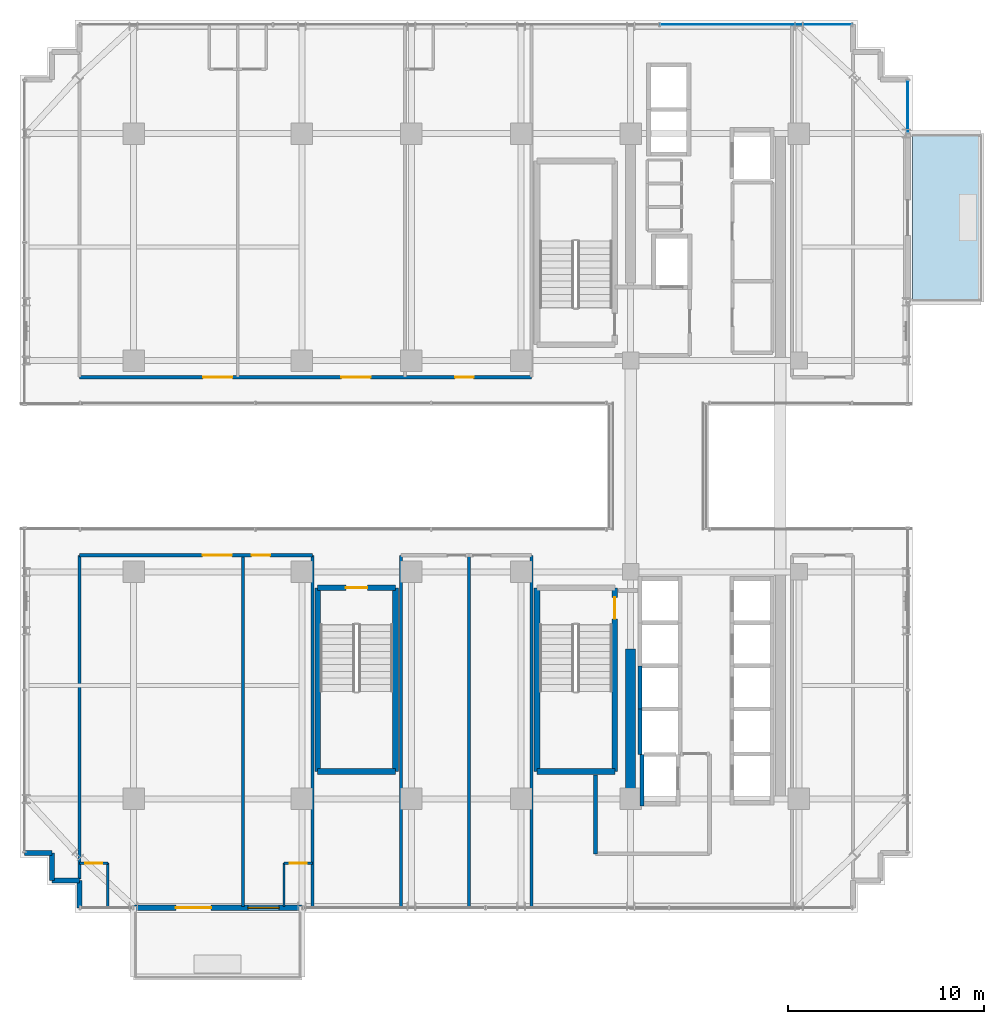
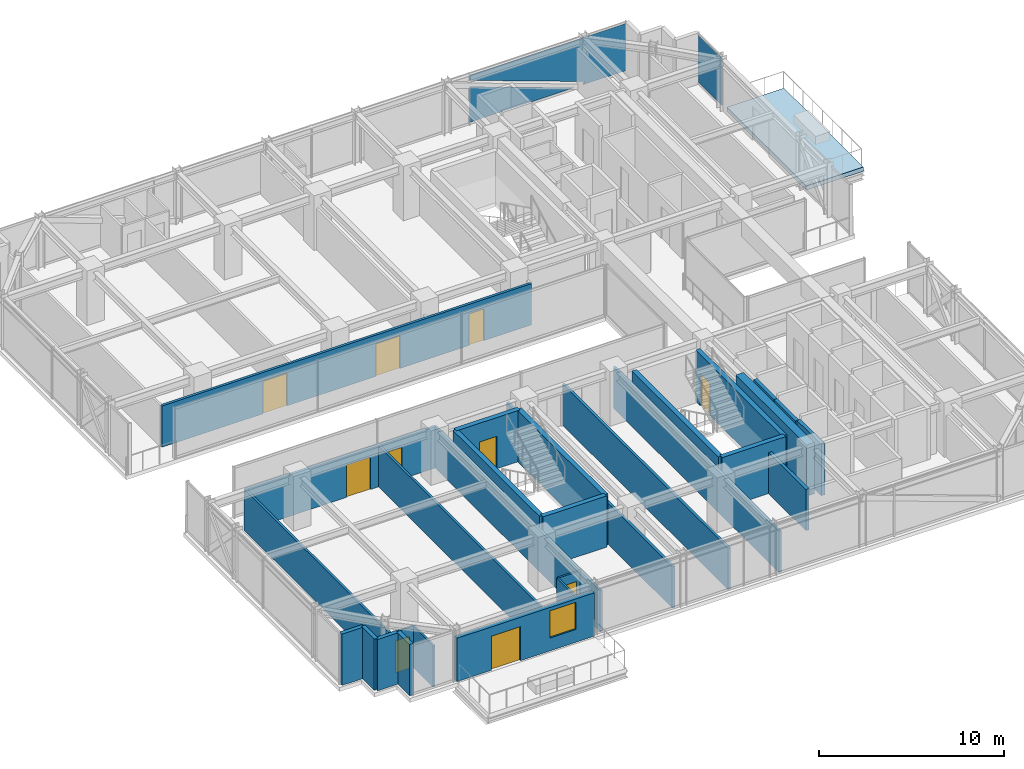
# One storey, part 31 of 38: 29 walls, 10 doors, 2 plates, 1 slab, 1 window, 11 openings, 2 elements without a shape of their own.
"""IFC4 building model written with IfcOpenShell, lengths in metres."""

from ifc_helpers import new_model, si_unit, direction, frame, frame_2d, origin, origin_2d, place, context, subcontext, project, spatial, polyline, rectangle, outline, extrude, source, transform, mapped, material, layer, layer_set, type_object, element, fill, aggregate, save


model = new_model("IFC4")

# Units and contexts
model_context = context("Model", 3, precision=1e-05, world=origin(), true_north=direction((0.0, 1.0)))
body_context = subcontext(model_context, "Body", "Model", "MODEL_VIEW")
ifc_project = project(units=[si_unit("LENGTHUNIT", "METRE"), si_unit("AREAUNIT", "SQUARE_METRE"), si_unit("VOLUMEUNIT", "CUBIC_METRE"), si_unit("PLANEANGLEUNIT", "RADIAN"), si_unit("MASSUNIT", "GRAM", prefix="KILO")], contexts=[model_context])

# Site, building, storey
site_placement = place(None, origin())
site = spatial("IfcSite", under=ifc_project, at=site_placement, CompositionType="ELEMENT")
building_placement = place(site_placement, origin())
building = spatial("IfcBuilding", under=site, at=building_placement, Name="Nahalor Promenade Grand Hotel", CompositionType="ELEMENT")
storey_placement = place(building_placement, frame((0.0, 0.0, 178.199951171875)))
storey = spatial("IfcBuildingStorey", under=building, at=storey_placement, Name="L45", CompositionType="ELEMENT", Elevation=178.199951171875)

# Curtain wall, plate
ifc_material_1 = material(Name="Anodised Bronze Aluminium EN AW-6063 T6", Category="aluminium")
curtain_wall_type = type_object("IfcCurtainWallType", Name="CW3 Elliptical-Void Collar Unitised Curtain Wall", PredefinedType="USERDEFINED", material=ifc_material_1)
curtain_wall_1_placement = place(storey_placement, origin())
curtain_wall_1 = element("IfcCurtainWall", 1, at=curtain_wall_1_placement, inside=storey, type_object=curtain_wall_type, Name="L45 Curtain Wall CW-L45-N-1", ObjectType="UNITISED_CURTAIN_WALL", PredefinedType="USERDEFINED")
ifc_material_2 = material(Name="Low-E Laminated Solar Glass", Category="glass")
ifc_layer_1 = layer(ifc_material_2, 0.030029296875)
ifc_layer_set_1 = layer_set([ifc_layer_1], Name="Low-E Laminated Solar Glass")
plate_type = type_object("IfcPlateType", Name="CWP3 High-Wind Laminated Bronze IGU 30mm", PredefinedType="CURTAIN_PANEL", material=ifc_layer_set_1)
plate_1_placement = place(storey_placement, frame((14.802490234375, 22.56005859375, 0.14013671875), z_axis=(0.0, 0.0, 1.0), x_axis=(1.0, 0.0, 0.0)))
plate_1 = element("IfcPlate", 2, at=plate_1_placement, type_object=plate_type, Name="CW-L45-N-1 Glazing Panel 3-0", PredefinedType="CURTAIN_PANEL", context=body_context, shape_type="SweptSolid", body=[
    extrude(outline(polyline([(4.887451171875, 3.110107421875), (-4.887451171875, 3.110107421875), (-4.887451171875, 2.76806640625), (2.28857421875, 0.189697265625), (2.220458984375, 0.0), (4.887451171875, 0.0), (4.887451171875, 3.110107421875)])), frame((0.0, 0.01513671875, 0.0), z_axis=(0.0, -1.0, 0.0), x_axis=(1.0, 0.0, 0.0)), (0.0, 0.0, 1.0), 0.030029296875),
    extrude(outline(polyline([(-4.887451171875, 2.343017578125), (-4.887451171875, 0.0), (1.6337890625, 0.0), (-4.887451171875, 2.343017578125)])), frame((0.0, 0.01513671875, 0.0), z_axis=(0.0, -1.0, 0.0), x_axis=(1.0, 0.0, 0.0)), (0.0, 0.0, 1.0), 0.030029296875),
])
aggregate(curtain_wall_1, [plate_1])

# Slab
ifc_material_3 = material(Name="Concrete B-50 (C40/50)", Category="concrete")
ifc_layer_2 = layer(ifc_material_3, 0.280029296875)
ifc_layer_set_2 = layer_set([ifc_layer_2], Name="Concrete B-50 (C40/50)")
slab_type = type_object("IfcSlabType", Name="Slab-Balcony-280", PredefinedType="FLOOR", material=ifc_layer_set_2)
slab_placement = place(storey_placement, frame((0.0, 0.0, -0.280029296875)))
element("IfcSlab", 3, at=slab_placement, inside=storey, type_object=slab_type, Name="L45 Cantilevered Planted Balcony 2", PredefinedType="FLOOR", context=body_context, shape_type="SweptSolid", body=[
    extrude(outline(polyline([(22.800048828125, 8.39990234375), (26.3798828125, 8.39990234375), (26.3798828125, 17.0), (22.800048828125, 17.0), (22.800048828125, 8.39990234375)])), origin(), (0.0, 0.0, 1.0), 0.280029296875),
])

# Curtain wall, plate
curtain_wall_2_placement = place(storey_placement, origin())
curtain_wall_2 = element("IfcCurtainWall", 4, at=curtain_wall_2_placement, inside=storey, type_object=curtain_wall_type, Name="L45 Curtain Wall CW-L45-E-4", ObjectType="UNITISED_CURTAIN_WALL", PredefinedType="USERDEFINED")
shared_shape_1 = source(origin(), body_context, "Body", "SweptSolid", [
    extrude(rectangle(XDim=2.6201171875, YDim=0.030029296875, at=origin_2d()), origin(), (0.0, 0.0, 1.0), 3.110107421875),
])
plate_2_placement = place(storey_placement, frame((22.56005859375, 18.3798828125, 0.14013671875), z_axis=(0.0, 0.0, 1.0), x_axis=(0.0, 1.0, 0.0)))
plate_2 = element("IfcPlate", 5, at=plate_2_placement, type_object=plate_type, Name="CW-L45-E-4 Glazing Panel 0-0", PredefinedType="CURTAIN_PANEL", context=body_context, shape_type="MappedRepresentation", body=[
    mapped(shared_shape_1, transform((0.0, 0.0, 0.0), scale=1.0)),
])
aggregate(curtain_wall_2, [plate_2])

# Walls
ifc_material_4 = material(Name="Concrete B-60 (C50/60)", Category="concrete")
ifc_layer_3 = layer(ifc_material_4, 0.5)
ifc_layer_set_3 = layer_set([ifc_layer_3], Name="Concrete B-60 (C50/60)")
wall_type_1 = type_object("IfcWallType", Name="Wall-CoreShear-500", PredefinedType="SHEAR", material=ifc_layer_set_3)
shared_shape_2 = source(origin(), body_context, "Body", "SweptSolid", [
    extrude(rectangle(XDim=7.64990234375, YDim=0.5, at=frame_2d((3.824951171875, 0.0))), origin(), (0.0, 0.0, 1.0), 3.39013671875),
])
wall_1_placement = place(storey_placement, frame((8.39990234375, -17.0, 0.0), z_axis=(0.0, 0.0, 1.0), x_axis=(0.0, 1.0, 0.0)))
element("IfcWall", 6, at=wall_1_placement, inside=storey, type_object=wall_type_1, Name="CWALL-L45-SW", PredefinedType="SHEAR", context=body_context, shape_type="MappedRepresentation", body=[
    mapped(shared_shape_2, transform((0.0, 0.0, 0.0), scale=1.0)),
])
ifc_layer_4 = layer(ifc_material_3, 0.300048828125)
ifc_layer_set_4 = layer_set([ifc_layer_4], Name="Concrete B-50 (C40/50)")
wall_type_2 = type_object("IfcWallType", Name="Wall-ShaftShear-300", PredefinedType="SHEAR", material=ifc_layer_set_4)
shared_shape_3 = source(origin(), body_context, "Body", "SweptSolid", [
    extrude(rectangle(XDim=3.97998046875, YDim=0.300048828125, at=frame_2d((1.989990234375, 0.0))), origin(), (0.0, 0.0, 1.0), 3.39013671875),
])
for number, where, z_axis, x_axis, name in (
    (7, (3.610107421875, -15.590087890625, 0.0), (0.0, 0.0, 1.0), (1.0, 0.0, 0.0), "L45 Exit Stair ST2 Shaft Wall S"),
    (8, (-7.590087890625, -15.590087890625, 0.0), (0.0, 0.0, 1.0), (1.0, 0.0, 0.0), "L45 Exit Stair ST3 Shaft Wall S"),
):
    element("IfcWall", number, at=place(storey_placement, frame(where, z_axis=z_axis, x_axis=x_axis)), inside=storey, type_object=wall_type_2, Name=name, PredefinedType="SHEAR", context=body_context, shape_type="MappedRepresentation", body=[
        mapped(shared_shape_3, transform((0.0, 0.0, 0.0), scale=1.0)),
    ])

# Wall, opening, door
wall_2_placement = place(storey_placement, frame((-7.590087890625, -6.2099609375, 0.0), z_axis=(0.0, 0.0, 1.0), x_axis=(1.0, 0.0, 0.0)))
wall_2 = element("IfcWall", 9, at=wall_2_placement, inside=storey, type_object=wall_type_2, Name="L45 Exit Stair ST3 Shaft Wall N", PredefinedType="SHEAR", context=body_context, shape_type="MappedRepresentation", body=[
    mapped(shared_shape_3, transform((0.0, 0.0, 0.0), scale=1.0)),
])
opening_1_placement = place(wall_2_placement, frame((1.43994140625, 0.0, 0.0)))
opening_1 = element("IfcOpeningElement", 10, at=opening_1_placement, cuts=wall_2, Name="Opening D-ST1", PredefinedType="OPENING", context=body_context, shape_type="SweptSolid", body=[
    extrude(rectangle(XDim=1.10009765625, YDim=2.14990234375, at=frame_2d((0.550048828125, 1.074951171875))), frame((0.0, 0.159912109375, 0.0), z_axis=(0.0, -1.0, 0.0), x_axis=(1.0, 0.0, 0.0)), (0.0, 0.0, 1.0), 0.320068359375),
])
ifc_material_5 = material(Name="Steel S355JR", Category="steel")
door_type_1 = type_object("IfcDoorType", Name="Door-StairFire-1100", OperationType="NOTDEFINED", PredefinedType="DOOR", material=ifc_material_5)
shared_shape_4 = source(origin(), body_context, "Body", "SweptSolid", [
    extrude(rectangle(XDim=1.10009765625, YDim=2.14990234375, at=frame_2d((0.550048828125, 1.074951171875))), frame((0.0, 0.02490234375, 0.0), z_axis=(0.0, -1.0, 0.0), x_axis=(1.0, 0.0, 0.0)), (0.0, 0.0, 1.0), 0.050048828125),
])
door_1_placement = place(opening_1_placement, frame((1.10009765625, 0.0, 0.0), z_axis=(0.0, 0.0, 1.0), x_axis=(-1.0, 0.0, 0.0)))
door_1 = element("IfcDoor", 11, at=door_1_placement, inside=storey, type_object=door_type_1, Name="DR-STAIR-ST3-L45", OperationType="SINGLE_SWING_RIGHT", OverallHeight=2.14990234375, OverallWidth=1.10009765625, PredefinedType="DOOR", context=body_context, shape_type="MappedRepresentation", body=[
    mapped(shared_shape_4, transform((0.0, 0.0, 0.0), scale=1.0)),
])
fill(opening_1, door_1)

# Wall
shared_shape_5 = source(origin(), body_context, "Body", "SweptSolid", [
    extrude(rectangle(XDim=9.380126953125, YDim=0.300048828125, at=frame_2d((4.68994140625, 0.0))), origin(), (0.0, 0.0, 1.0), 3.39013671875),
])
wall_3_placement = place(storey_placement, frame((3.610107421875, -15.590087890625, 0.0), z_axis=(0.0, 0.0, 1.0), x_axis=(0.0, 1.0, 0.0)))
element("IfcWall", 12, at=wall_3_placement, inside=storey, type_object=wall_type_2, Name="L45 Exit Stair ST2 Shaft Wall W", PredefinedType="SHEAR", context=body_context, shape_type="MappedRepresentation", body=[
    mapped(shared_shape_5, transform((0.0, 0.0, 0.0), scale=1.0)),
])

# Wall, opening, door
wall_4_placement = place(storey_placement, frame((7.590087890625, -15.590087890625, 0.0), z_axis=(0.0, 0.0, 1.0), x_axis=(0.0, 1.0, 0.0)))
wall_4 = element("IfcWall", 13, at=wall_4_placement, inside=storey, type_object=wall_type_2, Name="L45 Exit Stair ST2 Shaft Wall E", PredefinedType="SHEAR", context=body_context, shape_type="MappedRepresentation", body=[
    mapped(shared_shape_5, transform((0.0, 0.0, 0.0), scale=1.0)),
])
opening_2_placement = place(wall_4_placement, frame((7.7900390625, 0.0, 0.0)))
opening_2 = element("IfcOpeningElement", 14, at=opening_2_placement, cuts=wall_4, Name="Opening D-ST1", PredefinedType="OPENING", context=body_context, shape_type="SweptSolid", body=[
    extrude(rectangle(XDim=1.10009765625, YDim=2.14990234375, at=frame_2d((0.550048828125, 1.074951171875))), frame((0.0, 0.159912109375, 0.0), z_axis=(0.0, -1.0, 0.0), x_axis=(1.0, 0.0, 0.0)), (0.0, 0.0, 1.0), 0.320068359375),
])
door_2_placement = place(opening_2_placement, origin())
door_2 = element("IfcDoor", 15, at=door_2_placement, inside=storey, type_object=door_type_1, Name="DR-STAIR-ST2-L45", OperationType="SINGLE_SWING_RIGHT", OverallHeight=2.14990234375, OverallWidth=1.10009765625, PredefinedType="DOOR", context=body_context, shape_type="MappedRepresentation", body=[
    mapped(shared_shape_4, transform((0.0, 0.0, 0.0), scale=1.0)),
])
fill(opening_2, door_2)

# Walls
for number, where, z_axis, x_axis, name in (
    (16, (-7.590087890625, -15.590087890625, 0.0), (0.0, 0.0, 1.0), (0.0, 1.0, 0.0), "L45 Exit Stair ST3 Shaft Wall W"),
    (17, (-3.610107421875, -15.590087890625, 0.0), (0.0, 0.0, 1.0), (0.0, 1.0, 0.0), "L45 Exit Stair ST3 Shaft Wall E"),
):
    element("IfcWall", number, at=place(storey_placement, frame(where, z_axis=z_axis, x_axis=x_axis)), inside=storey, type_object=wall_type_2, Name=name, PredefinedType="SHEAR", context=body_context, shape_type="MappedRepresentation", body=[
        mapped(shared_shape_5, transform((0.0, 0.0, 0.0), scale=1.0)),
    ])
ifc_layer_5 = layer(ifc_material_3, 0.219970703125)
ifc_layer_set_5 = layer_set([ifc_layer_5], Name="Concrete B-50 (C40/50)")
wall_type_3 = type_object("IfcWallType", Name="Wall-LiftShaft-220", PredefinedType="SHEAR", material=ifc_layer_set_5)
shared_shape_6 = source(origin(), body_context, "Body", "SweptSolid", [
    extrude(rectangle(XDim=2.199951171875, YDim=0.219970703125, at=frame_2d((1.10009765625, 0.0))), origin(), (0.0, 0.0, 1.0), 3.39013671875),
])
wall_5_placement = place(storey_placement, frame((8.8798828125, -12.39990234375, 0.0), z_axis=(0.0, 0.0, 1.0), x_axis=(0.0, 1.0, 0.0)))
element("IfcWall", 18, at=wall_5_placement, inside=storey, type_object=wall_type_3, Name="L45 Lift PL11 Hoistway Wall W", PredefinedType="SHEAR", context=body_context, shape_type="MappedRepresentation", body=[
    mapped(shared_shape_6, transform((0.0, 0.0, 0.0), scale=1.0)),
])
shared_shape_7 = source(origin(), body_context, "Body", "SweptSolid", [
    extrude(rectangle(XDim=2.3251953125, YDim=0.219970703125, at=frame_2d((1.16259765625, 0.0))), origin(), (0.0, 0.0, 1.0), 3.39013671875),
])
wall_6_placement = place(storey_placement, frame((8.8798828125, -14.72509765625, 0.0), z_axis=(0.0, 0.0, 1.0), x_axis=(0.0, 1.0, 0.0)))
element("IfcWall", 19, at=wall_6_placement, inside=storey, type_object=wall_type_3, Name="L45 Lift PL12 Hoistway Wall W", PredefinedType="SHEAR", context=body_context, shape_type="MappedRepresentation", body=[
    mapped(shared_shape_7, transform((0.0, 0.0, 0.0), scale=1.0)),
])
shared_shape_8 = source(origin(), body_context, "Body", "SweptSolid", [
    extrude(rectangle(XDim=2.635009765625, YDim=0.219970703125, at=frame_2d((1.3173828125, 0.0))), origin(), (0.0, 0.0, 1.0), 3.39013671875),
])
wall_7_placement = place(storey_placement, frame((8.97998046875, -17.360107421875, 0.0), z_axis=(0.0, 0.0, 1.0), x_axis=(0.0, 1.0, 0.0)))
element("IfcWall", 20, at=wall_7_placement, inside=storey, type_object=wall_type_3, Name="L45 Lift FL2 Hoistway Wall W", PredefinedType="SHEAR", context=body_context, shape_type="MappedRepresentation", body=[
    mapped(shared_shape_8, transform((0.0, 0.0, 0.0), scale=1.0)),
])

# Wall, openings, door, window
ifc_material_6 = material(Name="Concrete B-40 (C32/40)", Category="concrete")
ifc_layer_6 = layer(ifc_material_6, 0.260009765625)
ifc_layer_set_6 = layer_set([ifc_layer_6], Name="Concrete B-40 (C32/40)")
wall_type_4 = type_object("IfcWallType", Name="Wall-BalconyWall-260", PredefinedType="STANDARD", material=ifc_layer_set_6)
shared_shape_9 = source(origin(), body_context, "Body", "SweptSolid", [
    extrude(rectangle(XDim=8.60009765625, YDim=0.260009765625, at=frame_2d((4.300048828125, 0.0))), origin(), (0.0, 0.0, 1.0), 2.8701171875),
])
wall_8_placement = place(storey_placement, frame((-17.0, -22.56005859375, 0.0), z_axis=(0.0, 0.0, 1.0), x_axis=(1.0, 0.0, 0.0)))
wall_8 = element("IfcWall", 21, at=wall_8_placement, inside=storey, type_object=wall_type_4, Name="W-L45-BALC-S-2", PredefinedType="STANDARD", context=body_context, shape_type="MappedRepresentation", body=[
    mapped(shared_shape_9, transform((0.0, 0.0, 0.0), scale=1.0)),
])
opening_3_placement = place(wall_8_placement, frame((2.169921875, 0.0, 0.0)))
opening_3 = element("IfcOpeningElement", 22, at=opening_3_placement, cuts=wall_8, Name="Opening D-BC1", PredefinedType="OPENING", context=body_context, shape_type="SweptSolid", body=[
    extrude(rectangle(XDim=1.800048828125, YDim=2.25, at=frame_2d((0.89990234375, 1.125))), frame((0.0, 0.139892578125, 0.0), z_axis=(0.0, -1.0, 0.0), x_axis=(1.0, 0.0, 0.0)), (0.0, 0.0, 1.0), 0.280029296875),
])
opening_4_placement = place(wall_8_placement, frame((5.840087890625, 0.0, 0.85009765625)))
opening_4 = element("IfcOpeningElement", 23, at=opening_4_placement, cuts=wall_8, Name="Opening WN-03", PredefinedType="OPENING", context=body_context, shape_type="SweptSolid", body=[
    extrude(rectangle(XDim=1.60009765625, YDim=1.800048828125, at=frame_2d((0.800048828125, 0.89990234375))), frame((0.0, 0.139892578125, 0.0), z_axis=(0.0, -1.0, 0.0), x_axis=(1.0, 0.0, 0.0)), (0.0, 0.0, 1.0), 0.280029296875),
])
door_type_2 = type_object("IfcDoorType", Name="Door-BalconySlide-1800", OperationType="DOUBLE_DOOR_SLIDING", PredefinedType="DOOR", material=ifc_material_1)
shared_shape_10 = source(origin(), body_context, "Body", "SweptSolid", [
    extrude(rectangle(XDim=1.800048828125, YDim=2.25, at=frame_2d((0.89990234375, 1.125))), frame((0.0, 0.02490234375, 0.0), z_axis=(0.0, -1.0, 0.0), x_axis=(1.0, 0.0, 0.0)), (0.0, 0.0, 1.0), 0.050048828125),
])
door_3_placement = place(opening_3_placement, frame((1.800048828125, 0.0, 0.0), z_axis=(0.0, 0.0, 1.0), x_axis=(-1.0, 0.0, 0.0)))
door_3 = element("IfcDoor", 24, at=door_3_placement, inside=storey, type_object=door_type_2, Name="DR-L45-BALC-S-2", OperationType="DOUBLE_DOOR_SLIDING", OverallHeight=2.25, OverallWidth=1.800048828125, PredefinedType="DOOR", context=body_context, shape_type="MappedRepresentation", body=[
    mapped(shared_shape_10, transform((0.0, 0.0, 0.0), scale=1.0)),
])
fill(opening_3, door_3)
window_type = type_object("IfcWindowType", Name="Win-CrownVented-1600x1800", PartitioningType="SINGLE_PANEL", PredefinedType="WINDOW", material=ifc_material_2)
shared_shape_11 = source(origin(), body_context, "Body", "SweptSolid", [
    extrude(rectangle(XDim=1.60009765625, YDim=1.800048828125, at=frame_2d((0.800048828125, 0.89990234375))), frame((0.0, 0.030029296875, 0.0), z_axis=(0.0, -1.0, 0.0), x_axis=(1.0, 0.0, 0.0)), (0.0, 0.0, 1.0), 0.06005859375),
])
window_placement = place(opening_4_placement, origin())
window = element("IfcWindow", 25, at=window_placement, inside=storey, type_object=window_type, Name="WN-L45-BALC-S-2-1", OverallHeight=1.800048828125, OverallWidth=1.60009765625, PartitioningType="SINGLE_PANEL", PredefinedType="WINDOW", context=body_context, shape_type="MappedRepresentation", body=[
    mapped(shared_shape_11, transform((0.0, 0.0, 0.0), scale=1.0)),
])
fill(opening_4, window)

# Walls
ifc_layer_7 = layer(ifc_material_6, 0.25)
ifc_layer_set_7 = layer_set([ifc_layer_7], Name="Concrete B-40 (C32/40)")
wall_type_5 = type_object("IfcWallType", Name="Wall-BronzePier-250", PredefinedType="STANDARD", material=ifc_layer_set_7)
shared_shape_12 = source(origin(), body_context, "Body", "SweptSolid", [
    extrude(rectangle(XDim=1.400146484375, YDim=0.25, at=frame_2d((0.7001953125, 0.0))), origin(), (0.0, 0.0, 1.0), 3.39013671875),
])
for number, where, z_axis, x_axis, name in (
    (26, (-22.56005859375, -19.760009765625, 0.0), (0.0, 0.0, 1.0), (1.0, 0.0, 0.0), "W-L45-SR-13"),
    (27, (-19.760009765625, -22.56005859375, 0.0), (0.0, 0.0, 1.0), (0.0, 1.0, 0.0), "W-L45-SR-16"),
):
    element("IfcWall", number, at=place(storey_placement, frame(where, z_axis=z_axis, x_axis=x_axis)), inside=storey, type_object=wall_type_5, Name=name, PredefinedType="STANDARD", context=body_context, shape_type="MappedRepresentation", body=[
        mapped(shared_shape_12, transform((0.0, 0.0, 0.0), scale=1.0)),
    ])
shared_shape_13 = source(origin(), body_context, "Body", "SweptSolid", [
    extrude(rectangle(XDim=1.39990234375, YDim=0.25, at=frame_2d((0.699951171875, 0.0))), origin(), (0.0, 0.0, 1.0), 3.39013671875),
])
for number, where, z_axis, x_axis, name in (
    (28, (-21.159912109375, -21.159912109375, 0.0), (0.0, 0.0, 1.0), (0.0, 1.0, 0.0), "W-L45-SR-14"),
    (29, (-21.159912109375, -21.159912109375, 0.0), (0.0, 0.0, 1.0), (1.0, 0.0, 0.0), "W-L45-SR-15"),
):
    element("IfcWall", number, at=place(storey_placement, frame(where, z_axis=z_axis, x_axis=x_axis)), inside=storey, type_object=wall_type_5, Name=name, PredefinedType="STANDARD", context=body_context, shape_type="MappedRepresentation", body=[
        mapped(shared_shape_13, transform((0.0, 0.0, 0.0), scale=1.0)),
    ])
ifc_layer_8 = layer(ifc_material_6, 0.199951171875)
ifc_layer_set_8 = layer_set([ifc_layer_8], Name="Concrete B-40 (C32/40)")
wall_type_6 = type_object("IfcWallType", Name="Wall-PartFire-200", PredefinedType="PARTITIONING", material=ifc_layer_set_8)
shared_shape_14 = source(origin(), body_context, "Body", "SweptSolid", [
    extrude(rectangle(XDim=4.030029296875, YDim=0.199951171875, at=frame_2d((2.01513671875, 0.0))), origin(), (0.0, 0.0, 1.0), 2.72998046875),
])
wall_9_placement = place(storey_placement, frame((6.60009765625, -19.800048828125, 0.0), z_axis=(0.0, 0.0, 1.0), x_axis=(0.0, 1.0, 0.0)))
element("IfcWall", 30, at=wall_9_placement, inside=storey, type_object=wall_type_6, Name="W-L45-FF2-W1", PredefinedType="PARTITIONING", context=body_context, shape_type="MappedRepresentation", body=[
    mapped(shared_shape_14, transform((0.0, 0.0, 0.0), scale=1.0)),
])
ifc_material_7 = material(Name="Acoustic Mineral Gypsum", Category="gypsum")
ifc_layer_9 = layer(ifc_material_7, 0.159912109375)
ifc_layer_set_9 = layer_set([ifc_layer_9], Name="Acoustic Mineral Gypsum")
wall_type_7 = type_object("IfcWallType", Name="Wall-PartCorridor-160", PredefinedType="PARTITIONING", material=ifc_layer_set_9)
shared_shape_15 = source(origin(), body_context, "Body", "SweptSolid", [
    extrude(rectangle(XDim=17.949951171875, YDim=0.159912109375, at=frame_2d((8.97509765625, 0.0))), origin(), (0.0, 0.0, 1.0), 2.72998046875),
])
for number, where, z_axis, x_axis, name in (
    (31, (-3.340087890625, -22.5, 0.0), (0.0, 0.0, 1.0), (0.0, 1.0, 0.0), "W-L45-SCB1-W"),
    (32, (0.14990234375, -22.5, 0.0), (0.0, 0.0, 1.0), (0.0, 1.0, 0.0), "W-L45-SCB1-E"),
    (33, (3.340087890625, -22.5, 0.0), (0.0, 0.0, 1.0), (0.0, 1.0, 0.0), "W-L45-SCB2-E"),
):
    element("IfcWall", number, at=place(storey_placement, frame(where, z_axis=z_axis, x_axis=x_axis)), inside=storey, type_object=wall_type_7, Name=name, PredefinedType="PARTITIONING", context=body_context, shape_type="MappedRepresentation", body=[
        mapped(shared_shape_15, transform((0.0, 0.0, 0.0), scale=1.0)),
    ])

# Wall, opening, door
ifc_layer_10 = layer(ifc_material_7, 0.1201171875)
ifc_layer_set_10 = layer_set([ifc_layer_10], Name="Acoustic Mineral Gypsum")
wall_type_8 = type_object("IfcWallType", Name="Wall-PartBath-120", PredefinedType="PARTITIONING", material=ifc_layer_set_10)
shared_shape_16 = source(origin(), body_context, "Body", "SweptSolid", [
    extrude(rectangle(XDim=1.449951171875, YDim=0.1201171875, at=frame_2d((0.72509765625, 0.0))), origin(), (0.0, 0.0, 1.0), 2.72998046875),
])
wall_10_placement = place(storey_placement, frame((-19.760009765625, -20.280029296875, 0.0), z_axis=(0.0, 0.0, 1.0), x_axis=(1.0, 0.0, 0.0)))
wall_10 = element("IfcWall", 34, at=wall_10_placement, inside=storey, type_object=wall_type_8, Name="W-L45-S1-BH", PredefinedType="PARTITIONING", context=body_context, shape_type="MappedRepresentation", body=[
    mapped(shared_shape_16, transform((0.0, 0.0, 0.0), scale=1.0)),
])
opening_5_placement = place(wall_10_placement, frame((0.284912109375, 0.0, 0.0)))
opening_5 = element("IfcOpeningElement", 35, at=opening_5_placement, cuts=wall_10, Name="Opening D-03", PredefinedType="OPENING", context=body_context, shape_type="SweptSolid", body=[
    extrude(rectangle(XDim=0.8798828125, YDim=2.10009765625, at=frame_2d((0.43994140625, 1.050048828125))), frame((0.0, 0.070068359375, 0.0), z_axis=(0.0, -1.0, 0.0), x_axis=(1.0, 0.0, 0.0)), (0.0, 0.0, 1.0), 0.14013671875),
])
ifc_material_8 = material(Name="Fire-Rated Timber Composite", Category="wood")
door_type_3 = type_object("IfcDoorType", Name="Door-BathSwing-880", OperationType="NOTDEFINED", PredefinedType="DOOR", material=ifc_material_8)
shared_shape_17 = source(origin(), body_context, "Body", "SweptSolid", [
    extrude(rectangle(XDim=0.8798828125, YDim=2.10009765625, at=frame_2d((0.43994140625, 1.050048828125))), frame((0.0, 0.02490234375, 0.0), z_axis=(0.0, -1.0, 0.0), x_axis=(1.0, 0.0, 0.0)), (0.0, 0.0, 1.0), 0.050048828125),
])
door_4_placement = place(opening_5_placement, frame((0.8798828125, 0.0, 0.0), z_axis=(0.0, 0.0, 1.0), x_axis=(-1.0, 0.0, 0.0)))
door_4 = element("IfcDoor", 36, at=door_4_placement, inside=storey, type_object=door_type_3, Name="DR-L45-S1-BATH", OperationType="SINGLE_SWING_RIGHT", OverallHeight=2.10009765625, OverallWidth=0.8798828125, PredefinedType="DOOR", context=body_context, shape_type="MappedRepresentation", body=[
    mapped(shared_shape_17, transform((0.0, 0.0, 0.0), scale=1.0)),
])
fill(opening_5, door_4)

wall_11_placement = place(storey_placement, frame((-9.31005859375, -20.280029296875, 0.0), z_axis=(0.0, 0.0, 1.0), x_axis=(1.0, 0.0, 0.0)))
wall_11 = element("IfcWall", 37, at=wall_11_placement, inside=storey, type_object=wall_type_8, Name="W-L45-S2-BH", PredefinedType="PARTITIONING", context=body_context, shape_type="MappedRepresentation", body=[
    mapped(shared_shape_16, transform((0.0, 0.0, 0.0), scale=1.0)),
])
opening_6_placement = place(wall_11_placement, frame((0.284912109375, 0.0, 0.0)))
opening_6 = element("IfcOpeningElement", 38, at=opening_6_placement, cuts=wall_11, Name="Opening D-03", PredefinedType="OPENING", context=body_context, shape_type="SweptSolid", body=[
    extrude(rectangle(XDim=0.8798828125, YDim=2.10009765625, at=frame_2d((0.43994140625, 1.050048828125))), frame((0.0, 0.070068359375, 0.0), z_axis=(0.0, -1.0, 0.0), x_axis=(1.0, 0.0, 0.0)), (0.0, 0.0, 1.0), 0.14013671875),
])
door_5_placement = place(opening_6_placement, frame((0.8798828125, 0.0, 0.0), z_axis=(0.0, 0.0, 1.0), x_axis=(-1.0, 0.0, 0.0)))
door_5 = element("IfcDoor", 39, at=door_5_placement, inside=storey, type_object=door_type_3, Name="DR-L45-S2-BATH", OperationType="SINGLE_SWING_LEFT", OverallHeight=2.10009765625, OverallWidth=0.8798828125, PredefinedType="DOOR", context=body_context, shape_type="MappedRepresentation", body=[
    mapped(shared_shape_17, transform((0.0, 0.0, 0.0), scale=1.0)),
])
fill(opening_6, door_5)

# Walls
shared_shape_18 = source(origin(), body_context, "Body", "SweptSolid", [
    extrude(rectangle(XDim=2.219970703125, YDim=0.1201171875, at=frame_2d((1.10986328125, 0.0))), origin(), (0.0, 0.0, 1.0), 2.72998046875),
])
for number, where, z_axis, x_axis, name in (
    (40, (-18.31005859375, -22.5, 0.0), (0.0, 0.0, 1.0), (0.0, 1.0, 0.0), "W-L45-S1-BV"),
    (41, (-9.31005859375, -22.5, 0.0), (0.0, 0.0, 1.0), (0.0, 1.0, 0.0), "W-L45-S2-BV"),
):
    element("IfcWall", number, at=place(storey_placement, frame(where, z_axis=z_axis, x_axis=x_axis)), inside=storey, type_object=wall_type_8, Name=name, PredefinedType="PARTITIONING", context=body_context, shape_type="MappedRepresentation", body=[
        mapped(shared_shape_18, transform((0.0, 0.0, 0.0), scale=1.0)),
    ])
ifc_layer_11 = layer(ifc_material_7, 0.139892578125)
ifc_layer_set_11 = layer_set([ifc_layer_11], Name="Acoustic Mineral Gypsum")
wall_type_9 = type_object("IfcWallType", Name="Wall-PartSuite-140", PredefinedType="PARTITIONING", material=ifc_layer_set_11)
shared_shape_19 = source(origin(), body_context, "Body", "SweptSolid", [
    extrude(rectangle(XDim=17.949951171875, YDim=0.139892578125, at=frame_2d((8.97509765625, 0.0))), origin(), (0.0, 0.0, 1.0), 2.72998046875),
])
for number, where, z_axis, x_axis, name in (
    (42, (-7.860107421875, -22.5, 0.0), (0.0, 0.0, 1.0), (0.0, 1.0, 0.0), "W-L45-SW-ENDE"),
    (43, (-11.409912109375, -22.5, 0.0), (0.0, 0.0, 1.0), (0.0, 1.0, 0.0), "W-L45-SP-1"),
):
    element("IfcWall", number, at=place(storey_placement, frame(where, z_axis=z_axis, x_axis=x_axis)), inside=storey, type_object=wall_type_9, Name=name, PredefinedType="PARTITIONING", context=body_context, shape_type="MappedRepresentation", body=[
        mapped(shared_shape_19, transform((0.0, 0.0, 0.0), scale=1.0)),
    ])

# Wall, openings, doors
shared_shape_20 = source(origin(), body_context, "Body", "SweptSolid", [
    extrude(rectangle(XDim=23.10009765625, YDim=0.159912109375, at=frame_2d((11.550048828125, 0.0))), origin(), (0.0, 0.0, 1.0), 2.72998046875),
])
wall_12_placement = place(storey_placement, frame((-19.760009765625, 4.550048828125, 0.0), z_axis=(0.0, 0.0, 1.0), x_axis=(1.0, 0.0, 0.0)))
wall_12 = element("IfcWall", 44, at=wall_12_placement, inside=storey, type_object=wall_type_7, Name="W-L45-CORR-N", PredefinedType="PARTITIONING", context=body_context, shape_type="MappedRepresentation", body=[
    mapped(shared_shape_20, transform((0.0, 0.0, 0.0), scale=1.0)),
])
opening_7_placement = place(wall_12_placement, frame((6.31689453125, 0.0, 0.0)))
opening_7 = element("IfcOpeningElement", 45, at=opening_7_placement, cuts=wall_12, Name="Opening D-02", PredefinedType="OPENING", context=body_context, shape_type="SweptSolid", body=[
    extrude(rectangle(XDim=1.5, YDim=2.14990234375, at=frame_2d((0.75, 1.074951171875))), frame((0.0, 0.08984375, 0.0), z_axis=(0.0, -1.0, 0.0), x_axis=(1.0, 0.0, 0.0)), (0.0, 0.0, 1.0), 0.179931640625),
])
opening_8_placement = place(wall_12_placement, frame((13.37890625, 0.0, 0.0)))
opening_8 = element("IfcOpeningElement", 46, at=opening_8_placement, cuts=wall_12, Name="Opening D-02", PredefinedType="OPENING", context=body_context, shape_type="SweptSolid", body=[
    extrude(rectangle(XDim=1.5, YDim=2.14990234375, at=frame_2d((0.75, 1.074951171875))), frame((0.0, 0.08984375, 0.0), z_axis=(0.0, -1.0, 0.0), x_axis=(1.0, 0.0, 0.0)), (0.0, 0.0, 1.0), 0.179931640625),
])
opening_9_placement = place(wall_12_placement, frame((19.18603515625, 0.0, 0.0)))
opening_9 = element("IfcOpeningElement", 47, at=opening_9_placement, cuts=wall_12, Name="Opening D-01", PredefinedType="OPENING", context=body_context, shape_type="SweptSolid", body=[
    extrude(rectangle(XDim=0.949951171875, YDim=2.10009765625, at=frame_2d((0.47509765625, 1.050048828125))), frame((0.0, 0.08984375, 0.0), z_axis=(0.0, -1.0, 0.0), x_axis=(1.0, 0.0, 0.0)), (0.0, 0.0, 1.0), 0.179931640625),
])
door_type_4 = type_object("IfcDoorType", Name="Door-SuiteDouble-1500", OperationType="DOUBLE_DOOR_SINGLE_SWING", PredefinedType="DOOR", material=ifc_material_8)
shared_shape_21 = source(origin(), body_context, "Body", "SweptSolid", [
    extrude(rectangle(XDim=1.5, YDim=2.14990234375, at=frame_2d((0.75, 1.074951171875))), frame((0.0, 0.02490234375, 0.0), z_axis=(0.0, -1.0, 0.0), x_axis=(1.0, 0.0, 0.0)), (0.0, 0.0, 1.0), 0.050048828125),
])
door_6_placement = place(opening_7_placement, origin())
door_6 = element("IfcDoor", 48, at=door_6_placement, inside=storey, type_object=door_type_4, Name="DR-L45-N1-ENT", OperationType="DOUBLE_DOOR_SINGLE_SWING", OverallHeight=2.14990234375, OverallWidth=1.5, PredefinedType="DOOR", context=body_context, shape_type="MappedRepresentation", body=[
    mapped(shared_shape_21, transform((0.0, 0.0, 0.0), scale=1.0)),
])
fill(opening_7, door_6)
door_7_placement = place(opening_8_placement, origin())
door_7 = element("IfcDoor", 49, at=door_7_placement, inside=storey, type_object=door_type_4, Name="DR-L45-N2-ENT", OperationType="DOUBLE_DOOR_SINGLE_SWING", OverallHeight=2.14990234375, OverallWidth=1.5, PredefinedType="DOOR", context=body_context, shape_type="MappedRepresentation", body=[
    mapped(shared_shape_21, transform((0.0, 0.0, 0.0), scale=1.0)),
])
fill(opening_8, door_7)
door_type_5 = type_object("IfcDoorType", Name="Door-GuestEntry-950", OperationType="NOTDEFINED", PredefinedType="DOOR", material=ifc_material_8)
shared_shape_22 = source(origin(), body_context, "Body", "SweptSolid", [
    extrude(rectangle(XDim=0.949951171875, YDim=2.10009765625, at=frame_2d((0.47509765625, 1.050048828125))), frame((0.0, 0.02490234375, 0.0), z_axis=(0.0, -1.0, 0.0), x_axis=(1.0, 0.0, 0.0)), (0.0, 0.0, 1.0), 0.050048828125),
])
door_8_placement = place(opening_9_placement, origin())
door_8 = element("IfcDoor", 50, at=door_8_placement, inside=storey, type_object=door_type_5, Name="DR-L45-N3-ENT", OperationType="SINGLE_SWING_LEFT", OverallHeight=2.10009765625, OverallWidth=0.949951171875, PredefinedType="DOOR", context=body_context, shape_type="MappedRepresentation", body=[
    mapped(shared_shape_22, transform((0.0, 0.0, 0.0), scale=1.0)),
])
fill(opening_9, door_8)

# Wall
shared_shape_23 = source(origin(), body_context, "Body", "SweptSolid", [
    extrude(rectangle(XDim=16.530029296875, YDim=0.139892578125, at=frame_2d((8.26513671875, 0.0))), origin(), (0.0, 0.0, 1.0), 2.72998046875),
])
wall_13_placement = place(storey_placement, frame((-19.760009765625, -21.080078125, 0.0), z_axis=(0.0, 0.0, 1.0), x_axis=(0.0, 1.0, 0.0)))
element("IfcWall", 51, at=wall_13_placement, inside=storey, type_object=wall_type_9, Name="W-L45-SW-ENDW", PredefinedType="PARTITIONING", context=body_context, shape_type="MappedRepresentation", body=[
    mapped(shared_shape_23, transform((0.0, 0.0, 0.0), scale=1.0)),
])

# Wall, openings, doors
shared_shape_24 = source(origin(), body_context, "Body", "SweptSolid", [
    extrude(rectangle(XDim=11.89990234375, YDim=0.159912109375, at=frame_2d((5.949951171875, 0.0))), origin(), (0.0, 0.0, 1.0), 2.72998046875),
])
wall_14_placement = place(storey_placement, frame((-19.760009765625, -4.550048828125, 0.0), z_axis=(0.0, 0.0, 1.0), x_axis=(1.0, 0.0, 0.0)))
wall_14 = element("IfcWall", 52, at=wall_14_placement, inside=storey, type_object=wall_type_7, Name="W-L45-CORR-S", PredefinedType="PARTITIONING", context=body_context, shape_type="MappedRepresentation", body=[
    mapped(shared_shape_24, transform((0.0, 0.0, 0.0), scale=1.0)),
])
opening_10_placement = place(wall_14_placement, frame((6.2900390625, 0.0, 0.0)))
opening_10 = element("IfcOpeningElement", 53, at=opening_10_placement, cuts=wall_14, Name="Opening D-02", PredefinedType="OPENING", context=body_context, shape_type="SweptSolid", body=[
    extrude(rectangle(XDim=1.5, YDim=2.14990234375, at=frame_2d((0.75, 1.074951171875))), frame((0.0, 0.08984375, 0.0), z_axis=(0.0, -1.0, 0.0), x_axis=(1.0, 0.0, 0.0)), (0.0, 0.0, 1.0), 0.179931640625),
])
opening_11_placement = place(wall_14_placement, frame((8.7939453125, 0.0, 0.0)))
opening_11 = element("IfcOpeningElement", 54, at=opening_11_placement, cuts=wall_14, Name="Opening D-01", PredefinedType="OPENING", context=body_context, shape_type="SweptSolid", body=[
    extrude(rectangle(XDim=0.949951171875, YDim=2.10009765625, at=frame_2d((0.47509765625, 1.050048828125))), frame((0.0, 0.08984375, 0.0), z_axis=(0.0, -1.0, 0.0), x_axis=(1.0, 0.0, 0.0)), (0.0, 0.0, 1.0), 0.179931640625),
])
door_9_placement = place(opening_10_placement, frame((1.5, 0.0, 0.0), z_axis=(0.0, 0.0, 1.0), x_axis=(-1.0, 0.0, 0.0)))
door_9 = element("IfcDoor", 55, at=door_9_placement, inside=storey, type_object=door_type_4, Name="DR-L45-S1-ENT", OperationType="DOUBLE_DOOR_SINGLE_SWING", OverallHeight=2.14990234375, OverallWidth=1.5, PredefinedType="DOOR", context=body_context, shape_type="MappedRepresentation", body=[
    mapped(shared_shape_21, transform((0.0, 0.0, 0.0), scale=1.0)),
])
fill(opening_10, door_9)
door_10_placement = place(opening_11_placement, frame((0.949951171875, 0.0, 0.0), z_axis=(0.0, 0.0, 1.0), x_axis=(-1.0, 0.0, 0.0)))
door_10 = element("IfcDoor", 56, at=door_10_placement, inside=storey, type_object=door_type_5, Name="DR-L45-S2-ENT", OperationType="SINGLE_SWING_RIGHT", OverallHeight=2.10009765625, OverallWidth=0.949951171875, PredefinedType="DOOR", context=body_context, shape_type="MappedRepresentation", body=[
    mapped(shared_shape_22, transform((0.0, 0.0, 0.0), scale=1.0)),
])
fill(opening_11, door_10)

save(model, "model.ifc")
